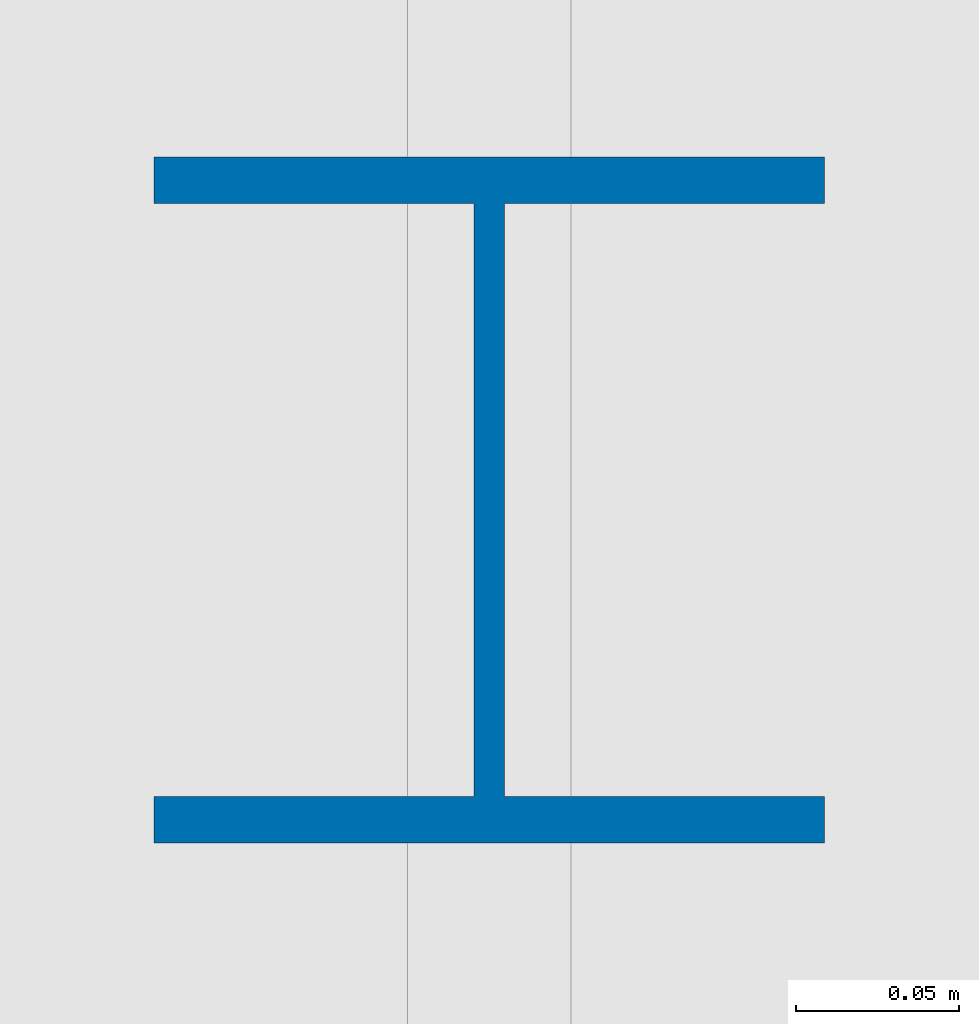
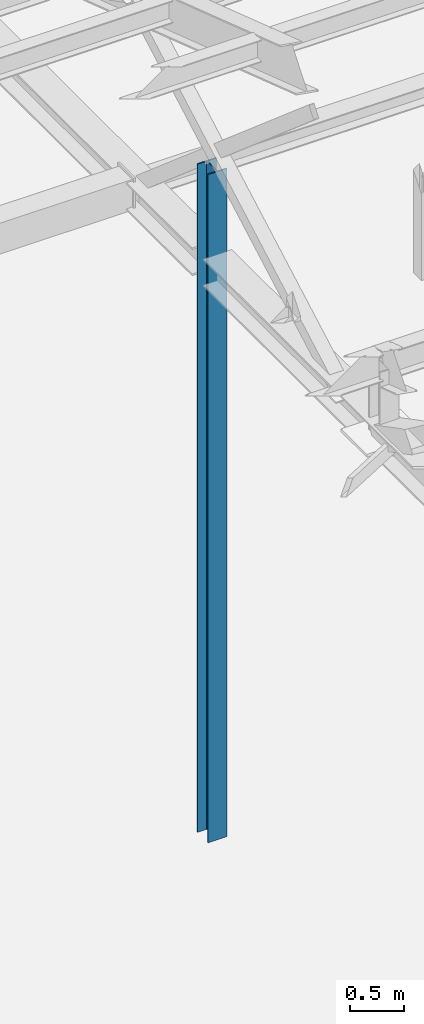
# One storey, part 20 of 285: 1 column.
"""IFC4 building model written with IfcOpenShell, lengths in metres."""

import ifcopenshell
import ifcopenshell.guid

model = None  # the IFC model being written
_history = None  # IfcOwnerHistory: only IFC2X3 demands one
_inside = {}  # id of a spatial element -> (the spatial element, [elements in it])
_under = {}  # id of a project, library or spatial element -> (it, [spatial elements below it])
_declared = {}  # id of a project -> (the project, [libraries it declares])
_typed = {}  # id of a type object -> (the type object, [elements of that type])
_made_of = {}  # id of a material, layer set ... -> (it, [elements and type objects made of it])


def new_model(schema):
    """Start an empty IFC model of exactly this schema.

    Asked for "IFC4X3", IfcOpenShell would pick the latest addendum, in which some entities
    have other attributes; the version numbers below select the first issue.
    IFC2X3 requires an IfcOwnerHistory on every rooted entity: one is made here for all.
    """
    global model, _history
    if schema == "IFC4X3":
        model = ifcopenshell.file(schema_version=(4, 3, 0, 0))
    else:
        model = ifcopenshell.file(schema=schema)
    _inside.clear()
    _under.clear()
    _declared.clear()
    _typed.clear()
    _made_of.clear()
    _history = None
    if model.schema == "IFC2X3":
        org = make("IfcOrganization", Name="unknown")
        user = make(
            "IfcPersonAndOrganization",
            ThePerson=make("IfcPerson", FamilyName="unknown"),
            TheOrganization=org,
        )
        app = make(
            "IfcApplication",
            ApplicationDeveloper=org,
            Version="unknown",
            ApplicationFullName="unknown",
            ApplicationIdentifier="unknown",
        )
        _history = make(
            "IfcOwnerHistory",
            OwningUser=user,
            OwningApplication=app,
            ChangeAction="ADDED",
            CreationDate=0,
        )
    return model


def make(cls, **values):
    """One entity of the class cls with the attributes given. An attribute that is None is left unset."""
    return model.create_entity(
        cls, **{name: value for name, value in values.items() if value is not None}
    )


def rooted(cls, **values):
    """An entity with a GlobalId (a new one), such as an element, a storey or a relation."""
    return make(cls, GlobalId=ifcopenshell.guid.new(), OwnerHistory=_history, **values)


def si_unit(unit_type, name, prefix=None):
    """IfcSIUnit, for example si_unit("LENGTHUNIT", "METRE", prefix="MILLI")."""
    return make("IfcSIUnit", UnitType=unit_type, Prefix=prefix, Name=name)


def assignment(units):
    """IfcUnitAssignment: the units of a project."""
    return None if units is None else make("IfcUnitAssignment", Units=units)


def point(xyz):
    """IfcCartesianPoint."""
    return None if xyz is None else make("IfcCartesianPoint", Coordinates=xyz)


def direction(xyz):
    """IfcDirection."""
    return None if xyz is None else make("IfcDirection", DirectionRatios=xyz)


def frame(location, z_axis=None, x_axis=None):
    """IfcAxis2Placement3D, a coordinate frame: its origin and axes. An axis left out is left unset."""
    return make(
        "IfcAxis2Placement3D",
        Location=point(location),
        Axis=direction(z_axis),
        RefDirection=direction(x_axis),
    )


def frame_2d(location, x_axis=None):
    """IfcAxis2Placement2D, a coordinate frame in the plane: its origin and x axis."""
    return make(
        "IfcAxis2Placement2D", Location=point(location), RefDirection=direction(x_axis)
    )


def origin():
    """The frame at (0, 0, 0) with its axes left unset."""
    return frame((0.0, 0.0, 0.0))


def origin_2d():
    """The frame at (0, 0) in the plane with its x axis left unset."""
    return frame_2d((0.0, 0.0))


def place(relative_to, where):
    """IfcLocalPlacement: puts the frame where relative to a parent placement (None: the world)."""
    return make(
        "IfcLocalPlacement", PlacementRelTo=relative_to, RelativePlacement=where
    )


def context(
    kind, dimensions, precision=None, world=None, true_north=None, identifier=None
):
    """IfcGeometricRepresentationContext, for example the 3D "Model" context."""
    return make(
        "IfcGeometricRepresentationContext",
        ContextIdentifier=identifier,
        ContextType=kind,
        CoordinateSpaceDimension=dimensions,
        Precision=precision,
        WorldCoordinateSystem=world,
        TrueNorth=true_north,
    )


def subcontext(parent, identifier, kind, view, scale=None):
    """IfcGeometricRepresentationSubContext, for example "Body" below "Model"."""
    return make(
        "IfcGeometricRepresentationSubContext",
        ContextIdentifier=identifier,
        ContextType=kind,
        ParentContext=parent,
        TargetScale=scale,
        TargetView=view,
    )


def project(units=None, contexts=None):
    """IfcProject with its units and contexts."""
    return rooted(
        "IfcProject",
        Name="project",
        RepresentationContexts=contexts,
        UnitsInContext=assignment(units),
    )


def spatial(cls, under=None, at=None, **own):
    """A site, building, storey or space (cls), placed at a placement, below another one or the project."""
    s = rooted(cls, ObjectPlacement=at, **own)
    if under is not None:
        _under.setdefault(under.id(), (under, []))[1].append(s)
    return s


def profile(cls, at=None, kind="AREA", **sizes):
    """A parametric profile (cls). Its sizes go by their IFC names, for example OverallWidth=200.0."""
    return make(cls, ProfileType=kind, Position=at, **sizes)


def i_section(**sizes):
    """IfcIShapeProfileDef."""
    return profile("IfcIShapeProfileDef", **sizes)


def extrude(swept, where, along, depth):
    """IfcExtrudedAreaSolid: the profile swept, set in the frame where, extruded along a direction by depth."""
    return make(
        "IfcExtrudedAreaSolid",
        SweptArea=swept,
        Position=where,
        ExtrudedDirection=direction(along),
        Depth=depth,
    )


def shape(context_of_items, identifier, shape_type, items):
    """IfcShapeRepresentation: the items that make up one representation, for example the "Body"."""
    return make(
        "IfcShapeRepresentation",
        ContextOfItems=context_of_items,
        RepresentationIdentifier=identifier,
        RepresentationType=shape_type,
        Items=items,
    )


def material(Name=None, Category=None):
    """IfcMaterial."""
    return make("IfcMaterial", Name=Name, Category=Category)


def material_profile(
    of_material, cross_section, Name=None, Category=None, Priority=None
):
    """IfcMaterialProfile: a cross section and its material."""
    return make(
        "IfcMaterialProfile",
        Name=Name,
        Material=of_material,
        Profile=cross_section,
        Priority=Priority,
        Category=Category,
    )


def profile_set(profiles, Name=None, composite=None):
    """IfcMaterialProfileSet."""
    return make(
        "IfcMaterialProfileSet",
        Name=Name,
        MaterialProfiles=profiles,
        CompositeProfile=composite,
    )


def made_of(thing, what):
    """Note that an element or type object is made of a material, layer set ...; save() writes the relation."""
    if what is not None:
        _made_of.setdefault(what.id(), (what, []))[1].append(thing)
    return thing


def type_object(cls, material=None, **own):
    """A type object (cls), such as IfcWallType, which elements share."""
    return made_of(rooted(cls, **own), material)


def element(
    cls,
    number,
    at=None,
    inside=None,
    cuts=None,
    type_object=None,
    material=None,
    context=None,
    identifier="Body",
    shape_type=None,
    held_by="IfcProductDefinitionShape",
    body=None,
    shapes=None,
    **own,
):
    """One element of the class cls, such as IfcWall. Its Tag is "e" and its number.

    at: its placement. inside: the storey or other place that contains it. cuts: it is an
    opening in that element (IfcRelVoidsElement). A single representation is given by context,
    identifier, shape_type and body (its items); several are given by shapes. held_by: the class
    of the entity that holds the representations. save() writes the other relations.
    """
    e = rooted(cls, Tag="e%d" % number, ObjectPlacement=at, **own)
    if body is not None:
        shapes = [shape(context, identifier, shape_type, body)]
    if shapes is not None:
        e.Representation = make(held_by, Representations=shapes)
    if inside is not None:
        _inside.setdefault(inside.id(), (inside, []))[1].append(e)
    if cuts is not None:
        rooted(
            "IfcRelVoidsElement", RelatingBuildingElement=cuts, RelatedOpeningElement=e
        )
    if type_object is not None:
        _typed.setdefault(type_object.id(), (type_object, []))[1].append(e)
    return made_of(e, material)


def aggregate(whole, parts):
    """IfcRelAggregates: a whole, such as a stair, and the parts it consists of."""
    return rooted("IfcRelAggregates", RelatingObject=whole, RelatedObjects=parts)


def save(model, path):
    """Write the relations noted so far, then the file.

    IfcRelAggregates (storeys below a building ...), IfcRelContainedInSpatialStructure (elements
    in a storey), IfcRelDefinesByType, IfcRelAssociatesMaterial and IfcRelDeclares: one each for
    every whole, place, type object, material and project.
    """
    for whole, parts in _under.values():
        aggregate(whole, parts)
    for where, things in _inside.values():
        rooted(
            "IfcRelContainedInSpatialStructure",
            RelatedElements=things,
            RelatingStructure=where,
        )
    for kind, things in _typed.values():
        rooted("IfcRelDefinesByType", RelatedObjects=things, RelatingType=kind)
    for what, things in _made_of.values():
        rooted("IfcRelAssociatesMaterial", RelatedObjects=things, RelatingMaterial=what)
    for by, libraries in _declared.values():
        rooted("IfcRelDeclares", RelatingContext=by, RelatedDefinitions=libraries)
    model.write(path)


model = new_model("IFC4")

# Units and contexts
model_context = context("Model", 3, precision=1e-05, world=origin(), true_north=direction((0.0, 1.0)))
body_context = subcontext(model_context, "Body", "Model", "MODEL_VIEW")
ifc_project = project(units=[si_unit("LENGTHUNIT", "METRE"), si_unit("AREAUNIT", "SQUARE_METRE"), si_unit("VOLUMEUNIT", "CUBIC_METRE"), si_unit("PLANEANGLEUNIT", "RADIAN"), si_unit("MASSUNIT", "GRAM", prefix="KILO")], contexts=[model_context])

# Site, building, storey
site_placement = place(None, origin())
site = spatial("IfcSite", under=ifc_project, at=site_placement, CompositionType="ELEMENT")
building_placement = place(site_placement, origin())
building = spatial("IfcBuilding", under=site, at=building_placement, Name="Solanera Park Tramway Depot", CompositionType="ELEMENT")
storey_placement = place(building_placement, origin())
storey = spatial("IfcBuildingStorey", under=building, at=storey_placement, Name="L00", CompositionType="ELEMENT", Elevation=0.0)

# Column
ifc_material = material(Name="Steel AS/NZS 3679.1 Grade 350", Category="steel")
ifc_material_profile = material_profile(ifc_material, i_section(OverallWidth=0.205078125, OverallDepth=0.209716796875, WebThickness=0.00927734375, FlangeThickness=0.01416015625, at=origin_2d()), Name="200UC59.5")
ifc_profile_set = profile_set([ifc_material_profile], Name="Steel AS/NZS 3679.1 Grade 350")
column_type = type_object("IfcColumnType", Name="Steel Column Int 200UC59.5", PredefinedType="COLUMN", material=ifc_profile_set)
column_placement = place(storey_placement, frame((60.0, 85.0, 0.0), z_axis=(0.0, 0.0, 1.0), x_axis=(1.0, 0.0, 0.0)))
element("IfcColumn", 1, at=column_placement, inside=storey, type_object=column_type, Name="L00 Column V1-X600-Y850", PredefinedType="COLUMN", context=body_context, shape_type="SweptSolid", body=[
    extrude(i_section(OverallWidth=0.205078125, OverallDepth=0.209716796875, WebThickness=0.00927734375, FlangeThickness=0.01416015625, at=origin_2d()), origin(), (0.0, 0.0, 1.0), 7.60009765625),
])

save(model, "model.ifc")
